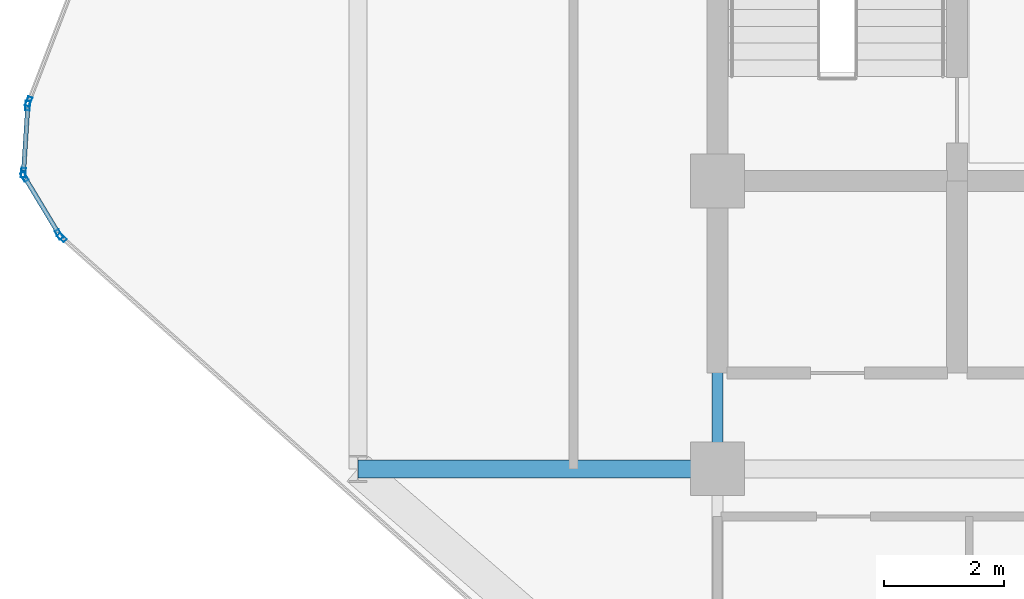
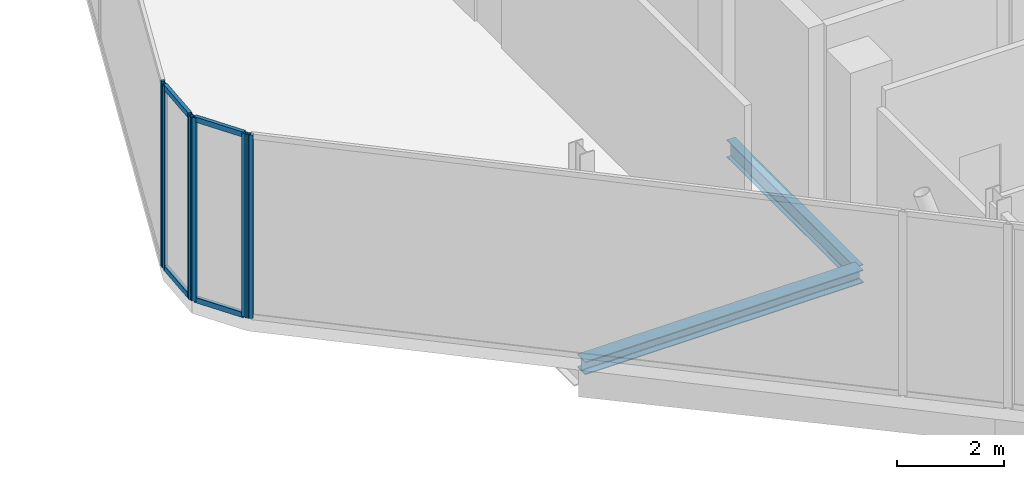
# One storey, part 8 of 31: 10 members, 2 beams, 4 elements without a shape of their own.
"""IFC4 building model written with IfcOpenShell, lengths in metres."""

from ifc_helpers import new_model, si_unit, direction, frame, origin, origin_2d, place, context, subcontext, project, spatial, hollow_rectangle, i_section, extrude, material, layer, layer_set, material_profile, profile_set, type_object, element, aggregate, save


model = new_model("IFC4")

# Units and contexts
model_context = context("Model", 3, precision=1e-05, world=origin(), true_north=direction((0.0, 1.0)))
body_context = subcontext(model_context, "Body", "Model", "MODEL_VIEW")
ifc_project = project(units=[si_unit("LENGTHUNIT", "METRE"), si_unit("AREAUNIT", "SQUARE_METRE"), si_unit("VOLUMEUNIT", "CUBIC_METRE"), si_unit("PLANEANGLEUNIT", "RADIAN"), si_unit("MASSUNIT", "GRAM", prefix="KILO")], contexts=[model_context])

# Site, building, storey
site_placement = place(None, origin())
site = spatial("IfcSite", under=ifc_project, at=site_placement, CompositionType="ELEMENT")
building_placement = place(site_placement, origin())
building = spatial("IfcBuilding", under=site, at=building_placement, Name="Keshet Zoharim Tower", CompositionType="ELEMENT")
storey_placement = place(building_placement, frame((0.0, 0.0, 183.89990234375)))
storey = spatial("IfcBuildingStorey", under=building, at=storey_placement, Name="L45", CompositionType="ELEMENT", Elevation=183.89990234375)

# Beams
ifc_material_1 = material(Name="Steel S355", Category="steel")
ifc_material_profile_1 = material_profile(ifc_material_1, i_section(OverallWidth=0.300048828125, OverallDepth=0.300048828125, WebThickness=0.010986328125, FlangeThickness=0.01904296875, FilletRadius=0.027099609375, at=origin_2d()), Name="HEB300")
ifc_profile_set_1 = profile_set([ifc_material_profile_1], Name="Steel S355")
beam_type_1 = type_object("IfcBeamType", Name="BM-PRI-HB300", PredefinedType="BEAM", material=ifc_profile_set_1)
beam_1_placement = place(storey_placement, frame((9.0, 17.89990234375, -0.469970703125), z_axis=(1.0, 0.0, 0.0), x_axis=(0.0, 1.0, 0.0)))
element("IfcBeam", 1, at=beam_1_placement, inside=storey, type_object=beam_type_1, Name="L45 Primary Girder X-011", PredefinedType="BEAM", context=body_context, shape_type="SweptSolid", body=[
    extrude(i_section(OverallWidth=0.300048828125, OverallDepth=0.300048828125, WebThickness=0.010986328125, FlangeThickness=0.01904296875, FilletRadius=0.027099609375, at=origin_2d()), origin(), (0.0, 0.0, 1.0), 6.0),
])
ifc_material_profile_2 = material_profile(ifc_material_1, i_section(OverallWidth=0.179931640625, OverallDepth=0.39990234375, WebThickness=0.008544921875, FlangeThickness=0.013427734375, FilletRadius=0.02099609375, at=origin_2d()), Name="IPE400")
ifc_profile_set_2 = profile_set([ifc_material_profile_2], Name="Steel S355")
beam_type_2 = type_object("IfcBeamType", Name="BM-PRI-IP400", PredefinedType="BEAM", material=ifc_profile_set_2)
beam_2_placement = place(storey_placement, frame((15.0, 17.89990234375, -0.52001953125), z_axis=(0.0, 1.0, 0.0), x_axis=(-1.0, 0.0, 0.0)))
element("IfcBeam", 2, at=beam_2_placement, inside=storey, type_object=beam_type_2, Name="L45 Primary Girder Y-003", PredefinedType="BEAM", context=body_context, shape_type="SweptSolid", body=[
    extrude(i_section(OverallWidth=0.179931640625, OverallDepth=0.39990234375, WebThickness=0.008544921875, FlangeThickness=0.013427734375, FilletRadius=0.02099609375, at=origin_2d()), origin(), (0.0, 0.0, 1.0), 4.800048828125),
])

# Curtain wall, member
ifc_material_2 = material(Name="Aluminium 6063-T6", Category="aluminium")
ifc_layer = layer(ifc_material_2, 0.139892578125)
ifc_layer_set = layer_set([ifc_layer], Name="Aluminium 6063-T6")
curtain_wall_type = type_object("IfcCurtainWallType", Name="CW-SYS-05", PredefinedType="NOTDEFINED", material=ifc_layer_set)
curtain_wall_1_placement = place(storey_placement, origin())
curtain_wall_1 = element("IfcCurtainWall", 3, at=curtain_wall_1_placement, inside=storey, type_object=curtain_wall_type, Name="L45 Unitised Curtain Wall 15 Part 3", PredefinedType="NOTDEFINED")
ifc_material_profile_3 = material_profile(ifc_material_2, hollow_rectangle(XDim=0.074951171875, YDim=0.159912109375, WallThickness=0.00390625, at=origin_2d()), Name="MUL-75x160")
ifc_profile_set_3 = profile_set([ifc_material_profile_3], Name="Aluminium 6063-T6")
member_type_1 = type_object("IfcMemberType", Name="CWM-M15", PredefinedType="MULLION", material=ifc_profile_set_3)
member_1_placement = place(storey_placement, frame((4.061279296875, 21.7568359375, 0.0), z_axis=(0.0, 0.0, 1.0), x_axis=(-0.664359858494, -0.747412856741, 0.0)))
member_1 = element("IfcMember", 4, at=member_1_placement, type_object=member_type_1, Name="CW-05 mullion 2", PredefinedType="MULLION", context=body_context, shape_type="SweptSolid", body=[
    extrude(hollow_rectangle(XDim=0.074951171875, YDim=0.159912109375, WallThickness=0.00390625, at=origin_2d()), origin(), (0.0, 0.0, 1.0), 4.190185546875),
])
aggregate(curtain_wall_1, [member_1])

# Curtain wall, members
curtain_wall_2_placement = place(storey_placement, origin())
curtain_wall_2 = element("IfcCurtainWall", 5, at=curtain_wall_2_placement, inside=storey, type_object=curtain_wall_type, Name="L45 Unitised Curtain Wall 16", PredefinedType="NOTDEFINED")
member_2_placement = place(storey_placement, frame((4.016845703125, 21.81005859375, 0.0), z_axis=(0.0, 0.0, 1.0), x_axis=(-0.856826433805, -0.515604947933, 0.0)))
member_2 = element("IfcMember", 6, at=member_2_placement, type_object=member_type_1, Name="CW-05 mullion 1", PredefinedType="MULLION", context=body_context, shape_type="SweptSolid", body=[
    extrude(hollow_rectangle(XDim=0.074951171875, YDim=0.159912109375, WallThickness=0.00390625, at=origin_2d()), origin(), (0.0, 0.0, 1.0), 4.190185546875),
])
member_3_placement = place(storey_placement, frame((3.43798828125, 22.77197265625, 0.0), z_axis=(0.0, 0.0, 1.0), x_axis=(-0.856826433805, -0.515604947933, 0.0)))
member_3 = element("IfcMember", 7, at=member_3_placement, type_object=member_type_1, Name="CW-05 mullion 2", PredefinedType="MULLION", context=body_context, shape_type="SweptSolid", body=[
    extrude(hollow_rectangle(XDim=0.074951171875, YDim=0.159912109375, WallThickness=0.00390625, at=origin_2d()), origin(), (0.0, 0.0, 1.0), 4.190185546875),
])

curtain_wall_3_placement = place(storey_placement, origin())
curtain_wall_3 = element("IfcCurtainWall", 8, at=curtain_wall_3_placement, inside=storey, type_object=curtain_wall_type, Name="L45 Unitised Curtain Wall 17", PredefinedType="NOTDEFINED")
member_4_placement = place(storey_placement, frame((3.42236328125, 22.8369140625, 0.0), z_axis=(0.0, 0.0, 1.0), x_axis=(-0.997916617186, 0.064516859374, 0.0)))
member_4 = element("IfcMember", 9, at=member_4_placement, type_object=member_type_1, Name="CW-05 mullion 1", PredefinedType="MULLION", context=body_context, shape_type="SweptSolid", body=[
    extrude(hollow_rectangle(XDim=0.074951171875, YDim=0.159912109375, WallThickness=0.00390625, at=origin_2d()), origin(), (0.0, 0.0, 1.0), 4.190185546875),
])
member_5_placement = place(storey_placement, frame((3.49462890625, 23.9580078125, 0.0), z_axis=(0.0, 0.0, 1.0), x_axis=(-0.997916617186, 0.064516859374, 0.0)))
member_5 = element("IfcMember", 10, at=member_5_placement, type_object=member_type_1, Name="CW-05 mullion 2", PredefinedType="MULLION", context=body_context, shape_type="SweptSolid", body=[
    extrude(hollow_rectangle(XDim=0.074951171875, YDim=0.159912109375, WallThickness=0.00390625, at=origin_2d()), origin(), (0.0, 0.0, 1.0), 4.190185546875),
])

# Curtain wall, member
curtain_wall_4_placement = place(storey_placement, origin())
curtain_wall_4 = element("IfcCurtainWall", 11, at=curtain_wall_4_placement, inside=storey, type_object=curtain_wall_type, Name="L45 Unitised Curtain Wall 18", PredefinedType="NOTDEFINED")
member_6_placement = place(storey_placement, frame((3.509521484375, 24.025634765625, 0.0), z_axis=(0.0, 0.0, 1.0), x_axis=(-0.933337006853, 0.359001436819, 0.0)))
member_6 = element("IfcMember", 12, at=member_6_placement, type_object=member_type_1, Name="CW-05 mullion 1", PredefinedType="MULLION", context=body_context, shape_type="SweptSolid", body=[
    extrude(hollow_rectangle(XDim=0.074951171875, YDim=0.159912109375, WallThickness=0.00390625, at=origin_2d()), origin(), (0.0, 0.0, 1.0), 4.190185546875),
])
aggregate(curtain_wall_4, [member_6])

# Member
ifc_material_profile_4 = material_profile(ifc_material_2, hollow_rectangle(XDim=0.074951171875, YDim=0.1201171875, WallThickness=0.00390625, at=origin_2d()), Name="TRN-75x120")
ifc_profile_set_4 = profile_set([ifc_material_profile_4], Name="Aluminium 6063-T6")
member_type_2 = type_object("IfcMemberType", Name="CWT-T12", PredefinedType="USERDEFINED", material=ifc_profile_set_4)
member_7_placement = place(storey_placement, frame((3.9990234375, 21.840087890625, 0.03515625), z_axis=(-0.515791194107, 0.856714330499, 0.0), x_axis=(-0.856714330499, -0.515791194107, 0.0)))
member_7 = element("IfcMember", 13, at=member_7_placement, type_object=member_type_2, Name="CW-05 transom 1.1", ObjectType="TRANSOM", PredefinedType="USERDEFINED", context=body_context, shape_type="SweptSolid", body=[
    extrude(hollow_rectangle(XDim=0.074951171875, YDim=0.1201171875, WallThickness=0.00390625, at=origin_2d()), origin(), (0.0, 0.0, 1.0), 1.052734375),
])

member_8_placement = place(storey_placement, frame((3.9990234375, 21.840087890625, 4.155029296875), z_axis=(-0.515791194107, 0.856714330499, 0.0), x_axis=(-0.856714330499, -0.515791194107, 0.0)))
member_8 = element("IfcMember", 14, at=member_8_placement, type_object=member_type_2, Name="CW-05 transom 1.2", ObjectType="TRANSOM", PredefinedType="USERDEFINED", context=body_context, shape_type="SweptSolid", body=[
    extrude(hollow_rectangle(XDim=0.074951171875, YDim=0.1201171875, WallThickness=0.00390625, at=origin_2d()), origin(), (0.0, 0.0, 1.0), 1.052734375),
])

aggregate(curtain_wall_2, [member_2, member_3, member_7, member_8])

member_9_placement = place(storey_placement, frame((3.424560546875, 22.871826171875, 0.03515625), z_axis=(0.064426947155, 0.997922426083, 0.0), x_axis=(-0.997922426083, 0.064426947155, 0.0)))
member_9 = element("IfcMember", 15, at=member_9_placement, type_object=member_type_2, Name="CW-05 transom 1.1", ObjectType="TRANSOM", PredefinedType="USERDEFINED", context=body_context, shape_type="SweptSolid", body=[
    extrude(hollow_rectangle(XDim=0.074951171875, YDim=0.1201171875, WallThickness=0.00390625, at=origin_2d()), origin(), (0.0, 0.0, 1.0), 1.053466796875),
])

member_10_placement = place(storey_placement, frame((3.424560546875, 22.871826171875, 4.155029296875), z_axis=(0.064426947155, 0.997922426083, 0.0), x_axis=(-0.997922426083, 0.064426947155, 0.0)))
member_10 = element("IfcMember", 16, at=member_10_placement, type_object=member_type_2, Name="CW-05 transom 1.2", ObjectType="TRANSOM", PredefinedType="USERDEFINED", context=body_context, shape_type="SweptSolid", body=[
    extrude(hollow_rectangle(XDim=0.074951171875, YDim=0.1201171875, WallThickness=0.00390625, at=origin_2d()), origin(), (0.0, 0.0, 1.0), 1.053466796875),
])

aggregate(curtain_wall_3, [member_4, member_5, member_9, member_10])

save(model, "model.ifc")
